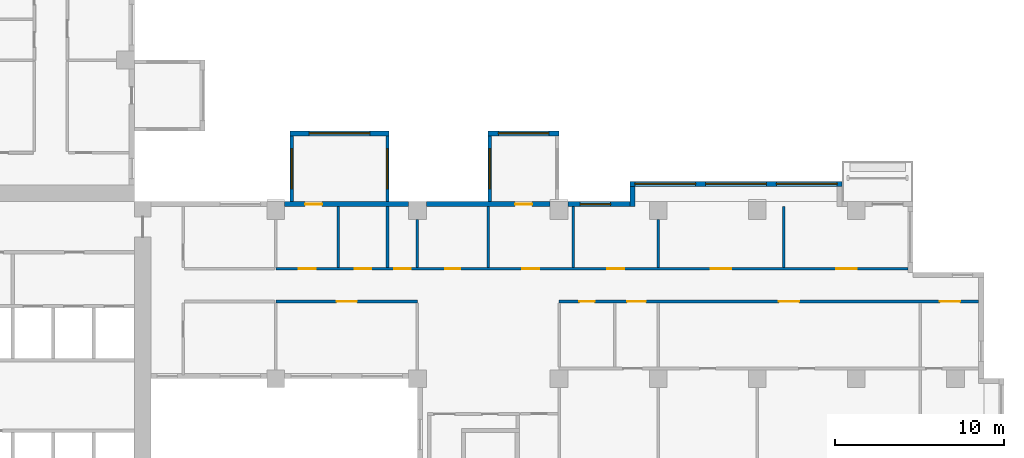
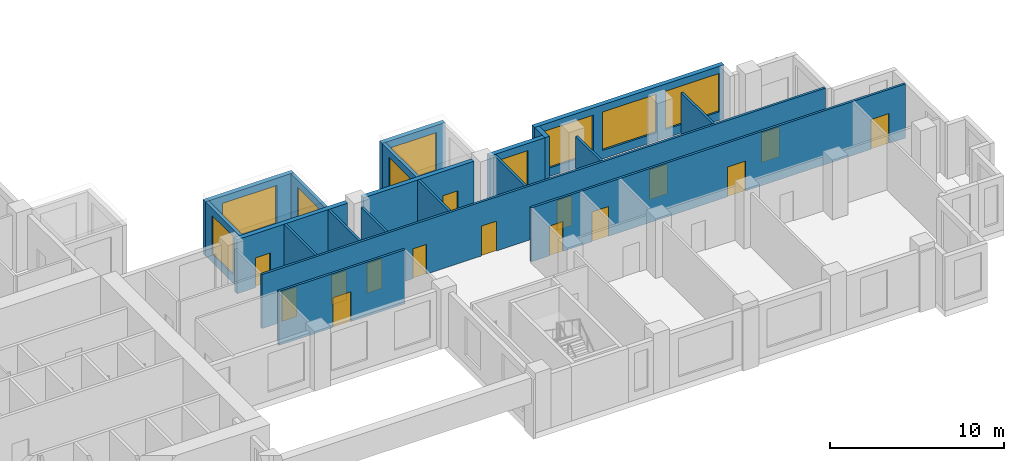
# One storey, part 5 of 14: 20 walls, 15 doors, 9 windows, 24 openings.
"""IFC4 building model written with IfcOpenShell, lengths in metres."""

from ifc_helpers import new_model, si_unit, direction, frame, frame_2d, origin, place, context, subcontext, project, spatial, rectangle, extrude, source, transform, mapped, material, layer, layer_set, type_object, element, fill, save


model = new_model("IFC4")

# Units and contexts
model_context = context("Model", 3, precision=1e-05, world=origin(), true_north=direction((0.0, 1.0)))
body_context = subcontext(model_context, "Body", "Model", "MODEL_VIEW")
ifc_project = project(units=[si_unit("LENGTHUNIT", "METRE"), si_unit("AREAUNIT", "SQUARE_METRE"), si_unit("VOLUMEUNIT", "CUBIC_METRE"), si_unit("PLANEANGLEUNIT", "RADIAN"), si_unit("MASSUNIT", "GRAM", prefix="KILO")], contexts=[model_context])

# Site, building, storey
site_placement = place(None, origin())
site = spatial("IfcSite", under=ifc_project, at=site_placement, CompositionType="ELEMENT")
building_placement = place(site_placement, origin())
building = spatial("IfcBuilding", under=site, at=building_placement, Name="Aurelian Terraces", CompositionType="ELEMENT")
storey_placement = place(building_placement, frame((0.0, 0.0, 153.9)))
storey = spatial("IfcBuildingStorey", under=building, at=storey_placement, Name="L34", CompositionType="ELEMENT", Elevation=153.9)

# Wall, openings, windows
ifc_material_1 = material(Name="Terracotta rainscreen cladding", Category="masonry")
ifc_layer_1 = layer(ifc_material_1, 0.3)
ifc_layer_set_1 = layer_set([ifc_layer_1], Name="EW-300")
wall_type_1 = type_object("IfcWallType", Name="EW-300", PredefinedType="STANDARD", material=ifc_layer_set_1)
wall_1_placement = place(storey_placement, frame((63.0, 22.05, 0.0), z_axis=(0.0, 0.0, 1.0), x_axis=(-1.0, 0.0, 0.0)))
wall_1 = element("IfcWall", 1, at=wall_1_placement, inside=storey, type_object=wall_type_1, Name="Bay wall L34 F11.23", PredefinedType="STANDARD", context=body_context, shape_type="SweptSolid", body=[
    extrude(rectangle(XDim=12.6, YDim=0.3, at=frame_2d((6.3, 0.0))), origin(), (0.0, 0.0, 1.0), 3.8),
])
shared_shape_1 = source(origin(), body_context, "Body", "SweptSolid", [
    extrude(rectangle(XDim=3.6, YDim=2.7, at=frame_2d((1.8, 1.35))), frame((0.0, 0.16, 0.0), z_axis=(0.0, -1.0, 0.0), x_axis=(1.0, 0.0, 0.0)), (0.0, 0.0, 1.0), 0.32),
])
opening_1_placement = place(wall_1_placement, frame((0.3, 0.0, 0.6)))
opening_1 = element("IfcOpeningElement", 2, at=opening_1_placement, cuts=wall_1, Name="Opening W3627", PredefinedType="OPENING", context=body_context, shape_type="MappedRepresentation", body=[
    mapped(shared_shape_1, transform((0.0, 0.0, 0.0), scale=1.0)),
])
opening_2_placement = place(wall_1_placement, frame((4.5, 0.0, 0.6)))
opening_2 = element("IfcOpeningElement", 3, at=opening_2_placement, cuts=wall_1, Name="Opening W3627", PredefinedType="OPENING", context=body_context, shape_type="MappedRepresentation", body=[
    mapped(shared_shape_1, transform((0.0, 0.0, 0.0), scale=1.0)),
])
opening_3_placement = place(wall_1_placement, frame((8.7, 0.0, 0.6)))
opening_3 = element("IfcOpeningElement", 4, at=opening_3_placement, cuts=wall_1, Name="Opening W3627", PredefinedType="OPENING", context=body_context, shape_type="MappedRepresentation", body=[
    mapped(shared_shape_1, transform((0.0, 0.0, 0.0), scale=1.0)),
])
ifc_material_2 = material(Name="Clear glazing", Category="glass")
window_type_1 = type_object("IfcWindowType", Name="W-3600x2700", PartitioningType="SINGLE_PANEL", PredefinedType="WINDOW", material=ifc_material_2)
shared_shape_2 = source(origin(), body_context, "Body", "SweptSolid", [
    extrude(rectangle(XDim=3.6, YDim=2.7, at=frame_2d((1.8, 1.35))), frame((0.0, 0.03, 0.0), z_axis=(0.0, -1.0, 0.0), x_axis=(1.0, 0.0, 0.0)), (0.0, 0.0, 1.0), 0.06),
])
window_1_placement = place(opening_1_placement, origin())
window_1 = element("IfcWindow", 5, at=window_1_placement, inside=storey, type_object=window_type_1, Name="Window L34 L34-F11-23-0", OverallHeight=2.7, OverallWidth=3.6, PartitioningType="SINGLE_PANEL", PredefinedType="WINDOW", context=body_context, shape_type="MappedRepresentation", body=[
    mapped(shared_shape_2, transform((0.0, 0.0, 0.0), scale=1.0)),
])
fill(opening_1, window_1)
window_2_placement = place(opening_2_placement, origin())
window_2 = element("IfcWindow", 6, at=window_2_placement, inside=storey, type_object=window_type_1, Name="Window L34 L34-F11-23-1", OverallHeight=2.7, OverallWidth=3.6, PartitioningType="SINGLE_PANEL", PredefinedType="WINDOW", context=body_context, shape_type="MappedRepresentation", body=[
    mapped(shared_shape_2, transform((0.0, 0.0, 0.0), scale=1.0)),
])
fill(opening_2, window_2)
window_3_placement = place(opening_3_placement, origin())
window_3 = element("IfcWindow", 7, at=window_3_placement, inside=storey, type_object=window_type_1, Name="Window L34 L34-F11-23-2", OverallHeight=2.7, OverallWidth=3.6, PartitioningType="SINGLE_PANEL", PredefinedType="WINDOW", context=body_context, shape_type="MappedRepresentation", body=[
    mapped(shared_shape_2, transform((0.0, 0.0, 0.0), scale=1.0)),
])
fill(opening_3, window_3)

# Wall
shared_shape_3 = source(origin(), body_context, "Body", "SweptSolid", [
    extrude(rectangle(XDim=1.2, YDim=0.3, at=frame_2d((0.6, 0.0))), origin(), (0.0, 0.0, 1.0), 3.8),
])
wall_2_placement = place(storey_placement, frame((50.55, 20.7, 0.0), z_axis=(0.0, 0.0, 1.0), x_axis=(0.0, 1.0, 0.0)))
element("IfcWall", 8, at=wall_2_placement, inside=storey, type_object=wall_type_1, Name="Bay return L34 F11.23.2", PredefinedType="STANDARD", context=body_context, shape_type="MappedRepresentation", body=[
    mapped(shared_shape_3, transform((0.0, 0.0, 0.0), scale=1.0)),
])

# Wall, opening, window
ifc_material_3 = material(Name="Concrete fc' 40 MPa", Category="concrete")
ifc_layer_2 = layer(ifc_material_3, 0.2)
ifc_layer_set_2 = layer_set([ifc_layer_2], Name="BOX BEARING WALL 200")
wall_type_2 = type_object("IfcWallType", Name="BOX BEARING WALL 200", PredefinedType="SOLIDWALL", material=ifc_layer_set_2)
shared_shape_4 = source(origin(), body_context, "Body", "SweptSolid", [
    extrude(rectangle(XDim=3.9, YDim=0.2, at=frame_2d((1.95, 0.0))), origin(), (0.0, 0.0, 1.0), 3.8),
])
wall_3_placement = place(storey_placement, frame((36.02, 21.0, 0.0), z_axis=(0.0, 0.0, 1.0), x_axis=(0.0, 1.0, 0.0)))
wall_3 = element("IfcWall", 9, at=wall_3_placement, inside=storey, type_object=wall_type_2, Name="Box return L34 J47.1", PredefinedType="SOLIDWALL", context=body_context, shape_type="MappedRepresentation", body=[
    mapped(shared_shape_4, transform((0.0, 0.0, 0.0), scale=1.0)),
])
shared_shape_5 = source(origin(), body_context, "Body", "SweptSolid", [
    extrude(rectangle(XDim=2.4, YDim=2.7, at=frame_2d((1.2, 1.35))), frame((0.0, 0.11, 0.0), z_axis=(0.0, -1.0, 0.0), x_axis=(1.0, 0.0, 0.0)), (0.0, 0.0, 1.0), 0.22),
])
opening_4_placement = place(wall_3_placement, frame((0.75, 0.0, 0.6)))
opening_4 = element("IfcOpeningElement", 10, at=opening_4_placement, cuts=wall_3, Name="Opening W2427", PredefinedType="OPENING", context=body_context, shape_type="MappedRepresentation", body=[
    mapped(shared_shape_5, transform((0.0, 0.0, 0.0), scale=1.0)),
])
window_type_2 = type_object("IfcWindowType", Name="W-2400x2700", PartitioningType="SINGLE_PANEL", PredefinedType="WINDOW", material=ifc_material_2)
shared_shape_6 = source(origin(), body_context, "Body", "SweptSolid", [
    extrude(rectangle(XDim=2.4, YDim=2.7, at=frame_2d((1.2, 1.35))), frame((0.0, 0.03, 0.0), z_axis=(0.0, -1.0, 0.0), x_axis=(1.0, 0.0, 0.0)), (0.0, 0.0, 1.0), 0.06),
])
window_4_placement = place(opening_4_placement, origin())
window_4 = element("IfcWindow", 11, at=window_4_placement, inside=storey, type_object=window_type_2, Name="Window L34 J47-S1", OverallHeight=2.7, OverallWidth=2.4, PartitioningType="SINGLE_PANEL", PredefinedType="WINDOW", context=body_context, shape_type="MappedRepresentation", body=[
    mapped(shared_shape_6, transform((0.0, 0.0, 0.0), scale=1.0)),
])
fill(opening_4, window_4)

wall_4_placement = place(storey_placement, frame((30.34, 21.0, 0.0), z_axis=(0.0, 0.0, 1.0), x_axis=(0.0, 1.0, 0.0)))
wall_4 = element("IfcWall", 12, at=wall_4_placement, inside=storey, type_object=wall_type_2, Name="Box return L34 J47.2", PredefinedType="SOLIDWALL", context=body_context, shape_type="MappedRepresentation", body=[
    mapped(shared_shape_4, transform((0.0, 0.0, 0.0), scale=1.0)),
])
opening_5_placement = place(wall_4_placement, frame((0.75, 0.0, 0.6)))
opening_5 = element("IfcOpeningElement", 13, at=opening_5_placement, cuts=wall_4, Name="Opening W2427", PredefinedType="OPENING", context=body_context, shape_type="MappedRepresentation", body=[
    mapped(shared_shape_5, transform((0.0, 0.0, 0.0), scale=1.0)),
])
window_5_placement = place(opening_5_placement, origin())
window_5 = element("IfcWindow", 14, at=window_5_placement, inside=storey, type_object=window_type_2, Name="Window L34 J47-S2", OverallHeight=2.7, OverallWidth=2.4, PartitioningType="SINGLE_PANEL", PredefinedType="WINDOW", context=body_context, shape_type="MappedRepresentation", body=[
    mapped(shared_shape_6, transform((0.0, 0.0, 0.0), scale=1.0)),
])
fill(opening_5, window_5)

wall_5_placement = place(storey_placement, frame((42.1, 21.0, 0.0), z_axis=(0.0, 0.0, 1.0), x_axis=(0.0, 1.0, 0.0)))
wall_5 = element("IfcWall", 15, at=wall_5_placement, inside=storey, type_object=wall_type_2, Name="Box return L34 J48.2", PredefinedType="SOLIDWALL", context=body_context, shape_type="MappedRepresentation", body=[
    mapped(shared_shape_4, transform((0.0, 0.0, 0.0), scale=1.0)),
])
opening_6_placement = place(wall_5_placement, frame((0.75, 0.0, 0.6)))
opening_6 = element("IfcOpeningElement", 16, at=opening_6_placement, cuts=wall_5, Name="Opening W2427", PredefinedType="OPENING", context=body_context, shape_type="MappedRepresentation", body=[
    mapped(shared_shape_5, transform((0.0, 0.0, 0.0), scale=1.0)),
])
window_6_placement = place(opening_6_placement, origin())
window_6 = element("IfcWindow", 17, at=window_6_placement, inside=storey, type_object=window_type_2, Name="Window L34 J48-S2", OverallHeight=2.7, OverallWidth=2.4, PartitioningType="SINGLE_PANEL", PredefinedType="WINDOW", context=body_context, shape_type="MappedRepresentation", body=[
    mapped(shared_shape_6, transform((0.0, 0.0, 0.0), scale=1.0)),
])
fill(opening_6, window_6)

ifc_layer_3 = layer(ifc_material_3, 0.3)
ifc_layer_set_3 = layer_set([ifc_layer_3], Name="BOX BEARING WALL 300")
wall_type_3 = type_object("IfcWallType", Name="BOX BEARING WALL 300", PredefinedType="SOLIDWALL", material=ifc_layer_set_3)
shared_shape_7 = source(origin(), body_context, "Body", "SweptSolid", [
    extrude(rectangle(XDim=5.88, YDim=0.3, at=frame_2d((2.94, 0.0))), origin(), (0.0, 0.0, 1.0), 3.8),
])
wall_6_placement = place(storey_placement, frame((36.12, 25.05, 0.0), z_axis=(0.0, 0.0, 1.0), x_axis=(-1.0, 0.0, 0.0)))
wall_6 = element("IfcWall", 18, at=wall_6_placement, inside=storey, type_object=wall_type_3, Name="Box wall L34 J47", PredefinedType="SOLIDWALL", context=body_context, shape_type="MappedRepresentation", body=[
    mapped(shared_shape_7, transform((0.0, 0.0, 0.0), scale=1.0)),
])
opening_7_placement = place(wall_6_placement, frame((1.14, 0.0, 0.6)))
opening_7 = element("IfcOpeningElement", 19, at=opening_7_placement, cuts=wall_6, Name="Opening W3627", PredefinedType="OPENING", context=body_context, shape_type="MappedRepresentation", body=[
    mapped(shared_shape_1, transform((0.0, 0.0, 0.0), scale=1.0)),
])
window_7_placement = place(opening_7_placement, origin())
window_7 = element("IfcWindow", 20, at=window_7_placement, inside=storey, type_object=window_type_1, Name="Window L34 J47-F1", OverallHeight=2.7, OverallWidth=3.6, PartitioningType="SINGLE_PANEL", PredefinedType="WINDOW", context=body_context, shape_type="MappedRepresentation", body=[
    mapped(shared_shape_2, transform((0.0, 0.0, 0.0), scale=1.0)),
])
fill(opening_7, window_7)

shared_shape_8 = source(origin(), body_context, "Body", "SweptSolid", [
    extrude(rectangle(XDim=4.2, YDim=0.3, at=frame_2d((2.1, 0.0))), origin(), (0.0, 0.0, 1.0), 3.8),
])
wall_7_placement = place(storey_placement, frame((46.2, 25.05, 0.0), z_axis=(0.0, 0.0, 1.0), x_axis=(-1.0, 0.0, 0.0)))
wall_7 = element("IfcWall", 21, at=wall_7_placement, inside=storey, type_object=wall_type_3, Name="Box wall L34 J48", PredefinedType="SOLIDWALL", context=body_context, shape_type="MappedRepresentation", body=[
    mapped(shared_shape_8, transform((0.0, 0.0, 0.0), scale=1.0)),
])
shared_shape_9 = source(origin(), body_context, "Body", "SweptSolid", [
    extrude(rectangle(XDim=3.0, YDim=2.7, at=frame_2d((1.5, 1.35))), frame((0.0, 0.16, 0.0), z_axis=(0.0, -1.0, 0.0), x_axis=(1.0, 0.0, 0.0)), (0.0, 0.0, 1.0), 0.32),
])
opening_8_placement = place(wall_7_placement, frame((0.6, 0.0, 0.6)))
opening_8 = element("IfcOpeningElement", 22, at=opening_8_placement, cuts=wall_7, Name="Opening W3027", PredefinedType="OPENING", context=body_context, shape_type="MappedRepresentation", body=[
    mapped(shared_shape_9, transform((0.0, 0.0, 0.0), scale=1.0)),
])
window_type_3 = type_object("IfcWindowType", Name="W-3000x2700", PartitioningType="SINGLE_PANEL", PredefinedType="WINDOW", material=ifc_material_2)
shared_shape_10 = source(origin(), body_context, "Body", "SweptSolid", [
    extrude(rectangle(XDim=3.0, YDim=2.7, at=frame_2d((1.5, 1.35))), frame((0.0, 0.03, 0.0), z_axis=(0.0, -1.0, 0.0), x_axis=(1.0, 0.0, 0.0)), (0.0, 0.0, 1.0), 0.06),
])
window_8_placement = place(opening_8_placement, origin())
window_8 = element("IfcWindow", 23, at=window_8_placement, inside=storey, type_object=window_type_3, Name="Window L34 J48-F1", OverallHeight=2.7, OverallWidth=3.0, PartitioningType="SINGLE_PANEL", PredefinedType="WINDOW", context=body_context, shape_type="MappedRepresentation", body=[
    mapped(shared_shape_10, transform((0.0, 0.0, 0.0), scale=1.0)),
])
fill(opening_8, window_8)

# Wall, opening, door
shared_shape_11 = source(origin(), body_context, "Body", "SweptSolid", [
    extrude(rectangle(XDim=7.35, YDim=0.3, at=frame_2d((3.675, 0.0))), origin(), (0.0, 0.0, 1.0), 3.8),
])
wall_8_placement = place(storey_placement, frame((45.675, 20.85, 0.0), z_axis=(0.0, 0.0, 1.0), x_axis=(-1.0, 0.0, 0.0)))
wall_8 = element("IfcWall", 24, at=wall_8_placement, inside=storey, type_object=wall_type_1, Name="External wall L34 F11.25", PredefinedType="STANDARD", context=body_context, shape_type="MappedRepresentation", body=[
    mapped(shared_shape_11, transform((0.0, 0.0, 0.0), scale=1.0)),
])
shared_shape_12 = source(origin(), body_context, "Body", "SweptSolid", [
    extrude(rectangle(XDim=1.0, YDim=2.1, at=frame_2d((0.5, 1.05))), frame((0.0, 0.16, 0.0), z_axis=(0.0, -1.0, 0.0), x_axis=(1.0, 0.0, 0.0)), (0.0, 0.0, 1.0), 0.32),
])
opening_9_placement = place(wall_8_placement, frame((1.075, 0.0, 0.0)))
opening_9 = element("IfcOpeningElement", 25, at=opening_9_placement, cuts=wall_8, Name="Opening 834002", PredefinedType="OPENING", context=body_context, shape_type="MappedRepresentation", body=[
    mapped(shared_shape_12, transform((0.0, 0.0, 0.0), scale=1.0)),
])
ifc_material_4 = material(Name="Timber door leaf", Category="wood")
door_type_1 = type_object("IfcDoorType", Name="Room door 1000x2100 left", OperationType="SINGLE_SWING_LEFT", PredefinedType="DOOR", material=ifc_material_4)
shared_shape_13 = source(origin(), body_context, "Body", "SweptSolid", [
    extrude(rectangle(XDim=1.0, YDim=2.1, at=frame_2d((0.5, 1.05))), frame((0.0, 0.025, 0.0), z_axis=(0.0, -1.0, 0.0), x_axis=(1.0, 0.0, 0.0)), (0.0, 0.0, 1.0), 0.05),
])
door_1_placement = place(opening_9_placement, origin())
door_1 = element("IfcDoor", 26, at=door_1_placement, inside=storey, type_object=door_type_1, Name="Door 834002", OperationType="SINGLE_SWING_LEFT", OverallHeight=2.1, OverallWidth=1.0, PredefinedType="DOOR", context=body_context, shape_type="MappedRepresentation", body=[
    mapped(shared_shape_13, transform((0.0, 0.0, 0.0), scale=1.0)),
])
fill(opening_9, door_1)

wall_9_placement = place(storey_placement, frame((37.275, 20.85, 0.0), z_axis=(0.0, 0.0, 1.0), x_axis=(-1.0, 0.0, 0.0)))
wall_9 = element("IfcWall", 27, at=wall_9_placement, inside=storey, type_object=wall_type_1, Name="External wall L34 F11.25", PredefinedType="STANDARD", context=body_context, shape_type="MappedRepresentation", body=[
    mapped(shared_shape_11, transform((0.0, 0.0, 0.0), scale=1.0)),
])
opening_10_placement = place(wall_9_placement, frame((5.135, 0.0, 0.0)))
opening_10 = element("IfcOpeningElement", 28, at=opening_10_placement, cuts=wall_9, Name="Opening 834001", PredefinedType="OPENING", context=body_context, shape_type="MappedRepresentation", body=[
    mapped(shared_shape_12, transform((0.0, 0.0, 0.0), scale=1.0)),
])
door_2_placement = place(opening_10_placement, origin())
door_2 = element("IfcDoor", 29, at=door_2_placement, inside=storey, type_object=door_type_1, Name="Door 834001", OperationType="SINGLE_SWING_LEFT", OverallHeight=2.1, OverallWidth=1.0, PredefinedType="DOOR", context=body_context, shape_type="MappedRepresentation", body=[
    mapped(shared_shape_13, transform((0.0, 0.0, 0.0), scale=1.0)),
])
fill(opening_10, door_2)

# Wall, opening, window
shared_shape_14 = source(origin(), body_context, "Body", "SweptSolid", [
    extrude(rectangle(XDim=3.675, YDim=0.3, at=frame_2d((1.8375, 0.0))), origin(), (0.0, 0.0, 1.0), 3.8),
])
wall_10_placement = place(storey_placement, frame((50.4, 20.85, 0.0), z_axis=(0.0, 0.0, 1.0), x_axis=(-1.0, 0.0, 0.0)))
wall_10 = element("IfcWall", 30, at=wall_10_placement, inside=storey, type_object=wall_type_1, Name="External wall L34 F11.24", PredefinedType="STANDARD", context=body_context, shape_type="MappedRepresentation", body=[
    mapped(shared_shape_14, transform((0.0, 0.0, 0.0), scale=1.0)),
])
shared_shape_15 = source(origin(), body_context, "Body", "SweptSolid", [
    extrude(rectangle(XDim=1.8, YDim=2.7, at=frame_2d((0.9, 1.35))), frame((0.0, 0.16, 0.0), z_axis=(0.0, -1.0, 0.0), x_axis=(1.0, 0.0, 0.0)), (0.0, 0.0, 1.0), 0.32),
])
opening_11_placement = place(wall_10_placement, frame((1.1425, 0.0, 0.6)))
opening_11 = element("IfcOpeningElement", 31, at=opening_11_placement, cuts=wall_10, Name="Opening W1827", PredefinedType="OPENING", context=body_context, shape_type="MappedRepresentation", body=[
    mapped(shared_shape_15, transform((0.0, 0.0, 0.0), scale=1.0)),
])
window_type_4 = type_object("IfcWindowType", Name="W-1800x2700", PartitioningType="SINGLE_PANEL", PredefinedType="WINDOW", material=ifc_material_2)
shared_shape_16 = source(origin(), body_context, "Body", "SweptSolid", [
    extrude(rectangle(XDim=1.8, YDim=2.7, at=frame_2d((0.9, 1.35))), frame((0.0, 0.03, 0.0), z_axis=(0.0, -1.0, 0.0), x_axis=(1.0, 0.0, 0.0)), (0.0, 0.0, 1.0), 0.06),
])
window_9_placement = place(opening_11_placement, origin())
window_9 = element("IfcWindow", 32, at=window_9_placement, inside=storey, type_object=window_type_4, Name="Window L34 L34-F11-24-0", OverallHeight=2.7, OverallWidth=1.8, PartitioningType="SINGLE_PANEL", PredefinedType="WINDOW", context=body_context, shape_type="MappedRepresentation", body=[
    mapped(shared_shape_16, transform((0.0, 0.0, 0.0), scale=1.0)),
])
fill(opening_11, window_9)

# Walls
ifc_material_5 = material(Name="Gypsum board on steel studs", Category="steel")
ifc_layer_4 = layer(ifc_material_5, 0.15)
ifc_layer_set_4 = layer_set([ifc_layer_4], Name="Partition 150")
wall_type_4 = type_object("IfcWallType", Name="Partition 150", PredefinedType="PARTITIONING", material=ifc_layer_set_4)
shared_shape_17 = source(origin(), body_context, "Body", "SweptSolid", [
    extrude(rectangle(XDim=3.6, YDim=0.15, at=frame_2d((1.8, 0.0))), origin(), (0.0, 0.0, 1.0), 3.8),
])
for number, where, z_axis, x_axis, name in (
    (33, (33.1133, 20.7, 0.0), (0.0, 0.0, 1.0), (0.0, -1.0, 0.0), "Partition"),
    (34, (36.024, 20.7, 0.0), (0.0, 0.0, 1.0), (0.0, -1.0, 0.0), "Partition"),
    (35, (47.04, 20.7, 0.0), (0.0, 0.0, 1.0), (0.0, -1.0, 0.0), "Partition"),
    (36, (59.5275, 20.7, 0.0), (0.0, 0.0, 1.0), (0.0, -1.0, 0.0), "Partition"),
    (37, (42.0, 17.1, 0.0), (0.0, 0.0, 1.0), (0.0, 1.0, 0.0), "Partition"),
):
    element("IfcWall", number, at=place(storey_placement, frame(where, z_axis=z_axis, x_axis=x_axis)), inside=storey, type_object=wall_type_4, Name=name, PredefinedType="PARTITIONING", context=body_context, shape_type="MappedRepresentation", body=[
        mapped(shared_shape_17, transform((0.0, 0.0, 0.0), scale=1.0)),
    ])

# Wall, opening, door
ifc_layer_5 = layer(ifc_material_5, 0.15)
ifc_layer_set_5 = layer_set([ifc_layer_5], Name="Fire partition 150")
wall_type_5 = type_object("IfcWallType", Name="Fire partition 150", PredefinedType="PARTITIONING", material=ifc_layer_set_5)
shared_shape_18 = source(origin(), body_context, "Body", "SweptSolid", [
    extrude(rectangle(XDim=8.4, YDim=0.15, at=frame_2d((4.2, 0.0))), origin(), (0.0, 0.0, 1.0), 3.8),
])
wall_11_placement = place(storey_placement, frame((37.8, 15.075, 0.0), z_axis=(0.0, 0.0, 1.0), x_axis=(-1.0, 0.0, 0.0)))
wall_11 = element("IfcWall", 38, at=wall_11_placement, inside=storey, type_object=wall_type_5, Name="Corridor wall", PredefinedType="PARTITIONING", context=body_context, shape_type="MappedRepresentation", body=[
    mapped(shared_shape_18, transform((0.0, 0.0, 0.0), scale=1.0)),
])
shared_shape_19 = source(origin(), body_context, "Body", "SweptSolid", [
    extrude(rectangle(XDim=1.2, YDim=2.1, at=frame_2d((0.6, 1.05))), frame((0.0, 0.085, 0.0), z_axis=(0.0, -1.0, 0.0), x_axis=(1.0, 0.0, 0.0)), (0.0, 0.0, 1.0), 0.17),
])
opening_12_placement = place(wall_11_placement, frame((3.6, 0.0, 0.0)))
opening_12 = element("IfcOpeningElement", 39, at=opening_12_placement, cuts=wall_11, Name="Opening 734004", PredefinedType="OPENING", context=body_context, shape_type="MappedRepresentation", body=[
    mapped(shared_shape_19, transform((0.0, 0.0, 0.0), scale=1.0)),
])
door_type_2 = type_object("IfcDoorType", Name="Room door 1200x2100 left", OperationType="SINGLE_SWING_LEFT", PredefinedType="DOOR", material=ifc_material_4)
shared_shape_20 = source(origin(), body_context, "Body", "SweptSolid", [
    extrude(rectangle(XDim=1.2, YDim=2.1, at=frame_2d((0.6, 1.05))), frame((0.0, 0.025, 0.0), z_axis=(0.0, -1.0, 0.0), x_axis=(1.0, 0.0, 0.0)), (0.0, 0.0, 1.0), 0.05),
])
door_3_placement = place(opening_12_placement, origin())
door_3 = element("IfcDoor", 40, at=door_3_placement, inside=storey, type_object=door_type_2, Name="Door 734004", OperationType="SINGLE_SWING_LEFT", OverallHeight=2.1, OverallWidth=1.2, PredefinedType="DOOR", context=body_context, shape_type="MappedRepresentation", body=[
    mapped(shared_shape_20, transform((0.0, 0.0, 0.0), scale=1.0)),
])
fill(opening_12, door_3)

# Wall, openings, doors
shared_shape_21 = source(origin(), body_context, "Body", "SweptSolid", [
    extrude(rectangle(XDim=24.9, YDim=0.15, at=frame_2d((12.45, 0.0))), origin(), (0.0, 0.0, 1.0), 3.8),
])
wall_12_placement = place(storey_placement, frame((71.1, 15.075, 0.0), z_axis=(0.0, 0.0, 1.0), x_axis=(-1.0, 0.0, 0.0)))
wall_12 = element("IfcWall", 41, at=wall_12_placement, inside=storey, type_object=wall_type_5, Name="Corridor wall", PredefinedType="PARTITIONING", context=body_context, shape_type="MappedRepresentation", body=[
    mapped(shared_shape_21, transform((0.0, 0.0, 0.0), scale=1.0)),
])
shared_shape_22 = source(origin(), body_context, "Body", "SweptSolid", [
    extrude(rectangle(XDim=1.1, YDim=2.1, at=frame_2d((0.55, 1.05))), frame((0.0, 0.085, 0.0), z_axis=(0.0, -1.0, 0.0), x_axis=(1.0, 0.0, 0.0)), (0.0, 0.0, 1.0), 0.17),
])
opening_13_placement = place(wall_12_placement, frame((19.7542, 0.0, 0.0)))
opening_13 = element("IfcOpeningElement", 42, at=opening_13_placement, cuts=wall_12, Name="Opening 734005", PredefinedType="OPENING", context=body_context, shape_type="MappedRepresentation", body=[
    mapped(shared_shape_22, transform((0.0, 0.0, 0.0), scale=1.0)),
])
shared_shape_23 = source(origin(), body_context, "Body", "SweptSolid", [
    extrude(rectangle(XDim=0.9, YDim=2.1, at=frame_2d((0.45, 1.05))), frame((0.0, 0.085, 0.0), z_axis=(0.0, -1.0, 0.0), x_axis=(1.0, 0.0, 0.0)), (0.0, 0.0, 1.0), 0.17),
])
opening_14_placement = place(wall_12_placement, frame((22.7942, 0.0, 0.0)))
opening_14 = element("IfcOpeningElement", 43, at=opening_14_placement, cuts=wall_12, Name="Opening 734007", PredefinedType="OPENING", context=body_context, shape_type="MappedRepresentation", body=[
    mapped(shared_shape_23, transform((0.0, 0.0, 0.0), scale=1.0)),
])
opening_15_placement = place(wall_12_placement, frame((10.65, 0.0, 0.0)))
opening_15 = element("IfcOpeningElement", 44, at=opening_15_placement, cuts=wall_12, Name="Opening 734008", PredefinedType="OPENING", context=body_context, shape_type="MappedRepresentation", body=[
    mapped(shared_shape_19, transform((0.0, 0.0, 0.0), scale=1.0)),
])
opening_16_placement = place(wall_12_placement, frame((1.1025, 0.0, 0.0)))
opening_16 = element("IfcOpeningElement", 45, at=opening_16_placement, cuts=wall_12, Name="Opening 734011", PredefinedType="OPENING", context=body_context, shape_type="MappedRepresentation", body=[
    mapped(shared_shape_19, transform((0.0, 0.0, 0.0), scale=1.0)),
])
door_type_3 = type_object("IfcDoorType", Name="Room door 900x2100 left", OperationType="SINGLE_SWING_LEFT", PredefinedType="DOOR", material=ifc_material_4)
shared_shape_24 = source(origin(), body_context, "Body", "SweptSolid", [
    extrude(rectangle(XDim=0.9, YDim=2.1, at=frame_2d((0.45, 1.05))), frame((0.0, 0.025, 0.0), z_axis=(0.0, -1.0, 0.0), x_axis=(1.0, 0.0, 0.0)), (0.0, 0.0, 1.0), 0.05),
])
door_4_placement = place(opening_14_placement, origin())
door_4 = element("IfcDoor", 46, at=door_4_placement, inside=storey, type_object=door_type_3, Name="Door 734007", OperationType="SINGLE_SWING_LEFT", OverallHeight=2.1, OverallWidth=0.9, PredefinedType="DOOR", context=body_context, shape_type="MappedRepresentation", body=[
    mapped(shared_shape_24, transform((0.0, 0.0, 0.0), scale=1.0)),
])
fill(opening_14, door_4)
door_type_4 = type_object("IfcDoorType", Name="Room door 1100x2100 left", OperationType="SINGLE_SWING_LEFT", PredefinedType="DOOR", material=ifc_material_4)
shared_shape_25 = source(origin(), body_context, "Body", "SweptSolid", [
    extrude(rectangle(XDim=1.1, YDim=2.1, at=frame_2d((0.55, 1.05))), frame((0.0, 0.025, 0.0), z_axis=(0.0, -1.0, 0.0), x_axis=(1.0, 0.0, 0.0)), (0.0, 0.0, 1.0), 0.05),
])
door_5_placement = place(opening_13_placement, origin())
door_5 = element("IfcDoor", 47, at=door_5_placement, inside=storey, type_object=door_type_4, Name="Door 734005", OperationType="SINGLE_SWING_LEFT", OverallHeight=2.1, OverallWidth=1.1, PredefinedType="DOOR", context=body_context, shape_type="MappedRepresentation", body=[
    mapped(shared_shape_25, transform((0.0, 0.0, 0.0), scale=1.0)),
])
fill(opening_13, door_5)
door_6_placement = place(opening_15_placement, origin())
door_6 = element("IfcDoor", 48, at=door_6_placement, inside=storey, type_object=door_type_2, Name="Door 734008", OperationType="SINGLE_SWING_LEFT", OverallHeight=2.1, OverallWidth=1.2, PredefinedType="DOOR", context=body_context, shape_type="MappedRepresentation", body=[
    mapped(shared_shape_20, transform((0.0, 0.0, 0.0), scale=1.0)),
])
fill(opening_15, door_6)
door_7_placement = place(opening_16_placement, origin())
door_7 = element("IfcDoor", 49, at=door_7_placement, inside=storey, type_object=door_type_2, Name="Door 734011", OperationType="SINGLE_SWING_LEFT", OverallHeight=2.1, OverallWidth=1.2, PredefinedType="DOOR", context=body_context, shape_type="MappedRepresentation", body=[
    mapped(shared_shape_20, transform((0.0, 0.0, 0.0), scale=1.0)),
])
fill(opening_16, door_7)

shared_shape_26 = source(origin(), body_context, "Body", "SweptSolid", [
    extrude(rectangle(XDim=37.5, YDim=0.15, at=frame_2d((18.75, 0.0))), origin(), (0.0, 0.0, 1.0), 3.8),
])
wall_13_placement = place(storey_placement, frame((29.4, 17.025, 0.0), z_axis=(0.0, 0.0, 1.0), x_axis=(1.0, 0.0, 0.0)))
wall_13 = element("IfcWall", 50, at=wall_13_placement, inside=storey, type_object=wall_type_5, Name="Corridor wall", PredefinedType="PARTITIONING", context=body_context, shape_type="MappedRepresentation", body=[
    mapped(shared_shape_26, transform((0.0, 0.0, 0.0), scale=1.0)),
])
shared_shape_27 = source(origin(), body_context, "Body", "SweptSolid", [
    extrude(rectangle(XDim=1.0, YDim=2.1, at=frame_2d((0.5, 1.05))), frame((0.0, 0.085, 0.0), z_axis=(0.0, -1.0, 0.0), x_axis=(1.0, 0.0, 0.0)), (0.0, 0.0, 1.0), 0.17),
])
opening_17_placement = place(wall_13_placement, frame((1.3567, 0.0, 0.0)))
opening_17 = element("IfcOpeningElement", 51, at=opening_17_placement, cuts=wall_13, Name="Opening 734013", PredefinedType="OPENING", context=body_context, shape_type="MappedRepresentation", body=[
    mapped(shared_shape_27, transform((0.0, 0.0, 0.0), scale=1.0)),
])
opening_18_placement = place(wall_13_placement, frame((4.6686, 0.0, 0.0)))
opening_18 = element("IfcOpeningElement", 52, at=opening_18_placement, cuts=wall_13, Name="Opening 734014", PredefinedType="OPENING", context=body_context, shape_type="MappedRepresentation", body=[
    mapped(shared_shape_27, transform((0.0, 0.0, 0.0), scale=1.0)),
])
opening_19_placement = place(wall_13_placement, frame((7.012, 0.0, 0.0)))
opening_19 = element("IfcOpeningElement", 53, at=opening_19_placement, cuts=wall_13, Name="Opening 734015", PredefinedType="OPENING", context=body_context, shape_type="MappedRepresentation", body=[
    mapped(shared_shape_27, transform((0.0, 0.0, 0.0), scale=1.0)),
])
opening_20_placement = place(wall_13_placement, frame((10.05, 0.0, 0.0)))
opening_20 = element("IfcOpeningElement", 54, at=opening_20_placement, cuts=wall_13, Name="Opening 734016", PredefinedType="OPENING", context=body_context, shape_type="MappedRepresentation", body=[
    mapped(shared_shape_23, transform((0.0, 0.0, 0.0), scale=1.0)),
])
opening_21_placement = place(wall_13_placement, frame((14.62, 0.0, 0.0)))
opening_21 = element("IfcOpeningElement", 55, at=opening_21_placement, cuts=wall_13, Name="Opening 734017", PredefinedType="OPENING", context=body_context, shape_type="MappedRepresentation", body=[
    mapped(shared_shape_27, transform((0.0, 0.0, 0.0), scale=1.0)),
])
opening_22_placement = place(wall_13_placement, frame((19.66, 0.0, 0.0)))
opening_22 = element("IfcOpeningElement", 56, at=opening_22_placement, cuts=wall_13, Name="Opening 734018", PredefinedType="OPENING", context=body_context, shape_type="MappedRepresentation", body=[
    mapped(shared_shape_27, transform((0.0, 0.0, 0.0), scale=1.0)),
])
opening_23_placement = place(wall_13_placement, frame((25.8038, 0.0, 0.0)))
opening_23 = element("IfcOpeningElement", 57, at=opening_23_placement, cuts=wall_13, Name="Opening 734019", PredefinedType="OPENING", context=body_context, shape_type="MappedRepresentation", body=[
    mapped(shared_shape_19, transform((0.0, 0.0, 0.0), scale=1.0)),
])
opening_24_placement = place(wall_13_placement, frame((33.2512, 0.0, 0.0)))
opening_24 = element("IfcOpeningElement", 58, at=opening_24_placement, cuts=wall_13, Name="Opening 734020", PredefinedType="OPENING", context=body_context, shape_type="MappedRepresentation", body=[
    mapped(shared_shape_19, transform((0.0, 0.0, 0.0), scale=1.0)),
])
door_8_placement = place(opening_17_placement, origin())
door_8 = element("IfcDoor", 59, at=door_8_placement, inside=storey, type_object=door_type_1, Name="Door 734013", OperationType="SINGLE_SWING_LEFT", OverallHeight=2.1, OverallWidth=1.0, PredefinedType="DOOR", context=body_context, shape_type="MappedRepresentation", body=[
    mapped(shared_shape_13, transform((0.0, 0.0, 0.0), scale=1.0)),
])
fill(opening_17, door_8)
door_type_5 = type_object("IfcDoorType", Name="Room door 1000x2100 right", OperationType="SINGLE_SWING_RIGHT", PredefinedType="DOOR", material=ifc_material_4)
door_9_placement = place(opening_18_placement, origin())
door_9 = element("IfcDoor", 60, at=door_9_placement, inside=storey, type_object=door_type_5, Name="Door 734014", OperationType="SINGLE_SWING_RIGHT", OverallHeight=2.1, OverallWidth=1.0, PredefinedType="DOOR", context=body_context, shape_type="MappedRepresentation", body=[
    mapped(shared_shape_13, transform((0.0, 0.0, 0.0), scale=1.0)),
])
fill(opening_18, door_9)
door_10_placement = place(opening_19_placement, origin())
door_10 = element("IfcDoor", 61, at=door_10_placement, inside=storey, type_object=door_type_1, Name="Door 734015", OperationType="SINGLE_SWING_LEFT", OverallHeight=2.1, OverallWidth=1.0, PredefinedType="DOOR", context=body_context, shape_type="MappedRepresentation", body=[
    mapped(shared_shape_13, transform((0.0, 0.0, 0.0), scale=1.0)),
])
fill(opening_19, door_10)
door_11_placement = place(opening_21_placement, origin())
door_11 = element("IfcDoor", 62, at=door_11_placement, inside=storey, type_object=door_type_1, Name="Door 734017", OperationType="SINGLE_SWING_LEFT", OverallHeight=2.1, OverallWidth=1.0, PredefinedType="DOOR", context=body_context, shape_type="MappedRepresentation", body=[
    mapped(shared_shape_13, transform((0.0, 0.0, 0.0), scale=1.0)),
])
fill(opening_21, door_11)
door_12_placement = place(opening_22_placement, origin())
door_12 = element("IfcDoor", 63, at=door_12_placement, inside=storey, type_object=door_type_5, Name="Door 734018", OperationType="SINGLE_SWING_RIGHT", OverallHeight=2.1, OverallWidth=1.0, PredefinedType="DOOR", context=body_context, shape_type="MappedRepresentation", body=[
    mapped(shared_shape_13, transform((0.0, 0.0, 0.0), scale=1.0)),
])
fill(opening_22, door_12)
door_13_placement = place(opening_20_placement, origin())
door_13 = element("IfcDoor", 64, at=door_13_placement, inside=storey, type_object=door_type_3, Name="Door 734016", OperationType="SINGLE_SWING_LEFT", OverallHeight=2.1, OverallWidth=0.9, PredefinedType="DOOR", context=body_context, shape_type="MappedRepresentation", body=[
    mapped(shared_shape_24, transform((0.0, 0.0, 0.0), scale=1.0)),
])
fill(opening_20, door_13)
door_14_placement = place(opening_23_placement, origin())
door_14 = element("IfcDoor", 65, at=door_14_placement, inside=storey, type_object=door_type_2, Name="Door 734019", OperationType="SINGLE_SWING_LEFT", OverallHeight=2.1, OverallWidth=1.2, PredefinedType="DOOR", context=body_context, shape_type="MappedRepresentation", body=[
    mapped(shared_shape_20, transform((0.0, 0.0, 0.0), scale=1.0)),
])
fill(opening_23, door_14)
door_type_6 = type_object("IfcDoorType", Name="Room door 1200x2100 right", OperationType="SINGLE_SWING_RIGHT", PredefinedType="DOOR", material=ifc_material_4)
door_15_placement = place(opening_24_placement, origin())
door_15 = element("IfcDoor", 66, at=door_15_placement, inside=storey, type_object=door_type_6, Name="Door 734020", OperationType="SINGLE_SWING_RIGHT", OverallHeight=2.1, OverallWidth=1.2, PredefinedType="DOOR", context=body_context, shape_type="MappedRepresentation", body=[
    mapped(shared_shape_20, transform((0.0, 0.0, 0.0), scale=1.0)),
])
fill(opening_24, door_15)

# Walls
shared_shape_28 = source(origin(), body_context, "Body", "SweptSolid", [
    extrude(rectangle(XDim=2.851, YDim=0.15, at=frame_2d((1.4255, 0.0))), origin(), (0.0, 0.0, 1.0), 3.8),
])
for number, where, z_axis, x_axis, name in (
    (67, (37.8, 17.1, 0.0), (0.0, 0.0, 1.0), (0.0, 1.0, 0.0), "Partition"),
    (68, (52.08, 17.1, 0.0), (0.0, 0.0, 1.0), (0.0, 1.0, 0.0), "Partition"),
):
    element("IfcWall", number, at=place(storey_placement, frame(where, z_axis=z_axis, x_axis=x_axis)), inside=storey, type_object=wall_type_4, Name=name, PredefinedType="PARTITIONING", context=body_context, shape_type="MappedRepresentation", body=[
        mapped(shared_shape_28, transform((0.0, 0.0, 0.0), scale=1.0)),
    ])

save(model, "model.ifc")
